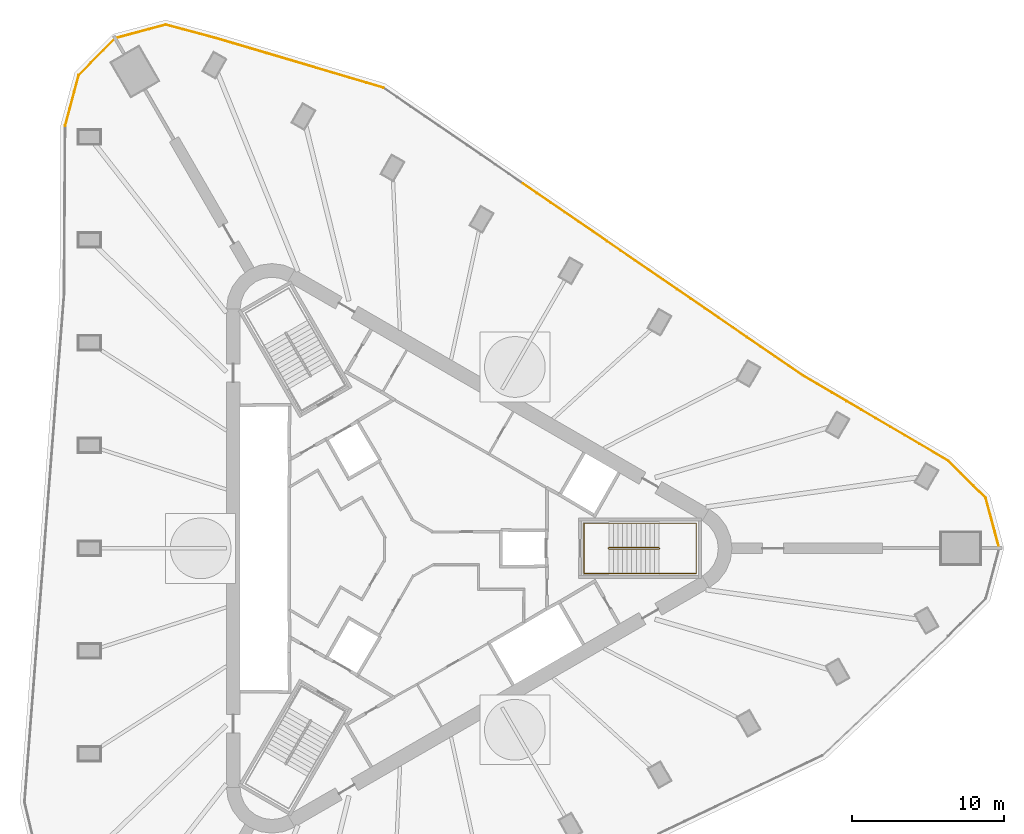
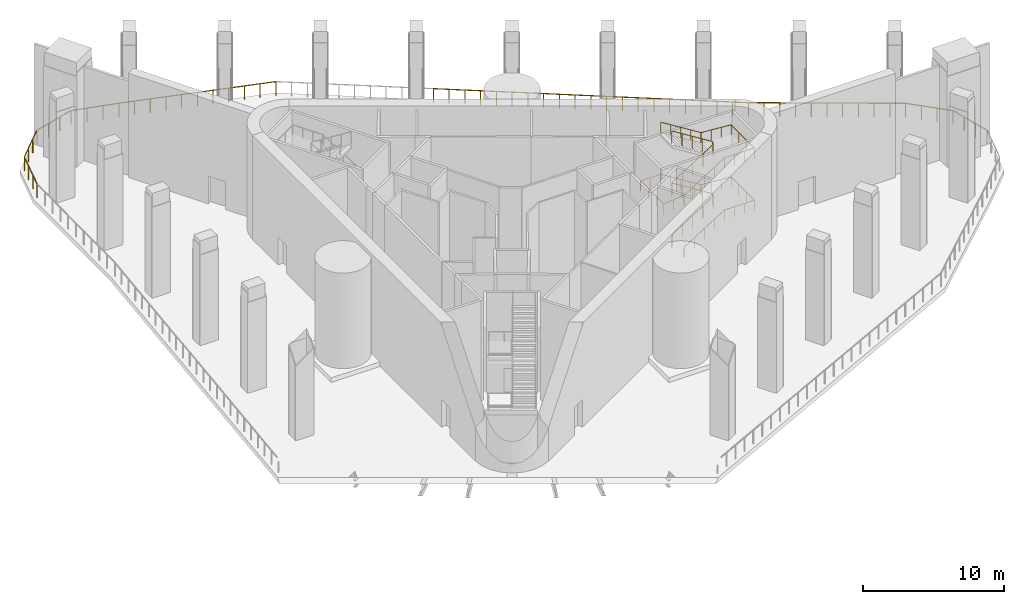
# One storey, part 9 of 10: 9 railings.
"""IFC4 building model written with IfcOpenShell, lengths in metres."""

from ifc_helpers import new_model, si_unit, direction, frame, origin, origin_2d, place, context, subcontext, project, spatial, circle, extrude, material, type_object, element, save


model = new_model("IFC4")

# Units and contexts
model_context = context("Model", 3, precision=1e-05, world=origin(), true_north=direction((0.0, 1.0)))
body_context = subcontext(model_context, "Body", "Model", "MODEL_VIEW")
ifc_project = project(units=[si_unit("LENGTHUNIT", "METRE"), si_unit("AREAUNIT", "SQUARE_METRE"), si_unit("VOLUMEUNIT", "CUBIC_METRE"), si_unit("PLANEANGLEUNIT", "RADIAN"), si_unit("MASSUNIT", "GRAM", prefix="KILO")], contexts=[model_context])

# Site, building, storey
site_placement = place(None, origin())
site = spatial("IfcSite", under=ifc_project, at=site_placement, CompositionType="ELEMENT")
building_placement = place(site_placement, origin())
building = spatial("IfcBuilding", under=site, at=building_placement, Name="Tanit Gate Tower", CompositionType="ELEMENT")
storey_placement = place(building_placement, frame((0.0, 0.0, 283.699951171875)))
storey = spatial("IfcBuildingStorey", under=building, at=storey_placement, Name="L64", CompositionType="ELEMENT", Elevation=283.699951171875)

# Railings
ifc_material_1 = material(Name="Steel S355 galvanised", Category="steel")
railing_type_1 = type_object("IfcRailingType", Name="Guard 1200 turbine slot balustrade", PredefinedType="GUARDRAIL", material=ifc_material_1)
railing_1_placement = place(storey_placement, frame((35.47412109375, 5.755859375, 0.0)))
element("IfcRailing", 1, at=railing_1_placement, inside=storey, type_object=railing_type_1, Name="Open storey guard L64 1", PredefinedType="GUARDRAIL", context=body_context, shape_type="SweptSolid", body=[
    extrude(circle(Radius=0.02392578125, at=origin_2d()), frame((0.0, 0.0, 1.17578125), z_axis=(0.707071546526, -0.707142014091, 0.0), x_axis=(0.707142014091, 0.707071546526, 0.0)), (0.0, 0.0, 1.0), 3.464599609375),
    extrude(circle(Radius=0.02392578125, at=origin_2d()), frame((2.44970703125, -2.449951171875, 1.17578125), z_axis=(0.258799077462, -0.965931176381, 0.0), x_axis=(0.965931176381, 0.258799077462, 0.0)), (0.0, 0.0, 1.0), 3.422607421875),
    extrude(circle(Radius=0.02099609375, at=origin_2d()), origin(), (0.0, 0.0, 1.0), 1.15185546875),
    extrude(circle(Radius=0.02099609375, at=origin_2d()), frame((0.816650390625, -0.816650390625, 0.0)), (0.0, 0.0, 1.0), 1.15185546875),
    extrude(circle(Radius=0.02099609375, at=origin_2d()), frame((1.633056640625, -1.63330078125, 0.0)), (0.0, 0.0, 1.0), 1.15185546875),
    extrude(circle(Radius=0.02099609375, at=origin_2d()), frame((2.44970703125, -2.449951171875, 0.0)), (0.0, 0.0, 1.0), 1.15185546875),
    extrude(circle(Radius=0.02099609375, at=origin_2d()), frame((2.744873046875, -3.552001953125, 0.0)), (0.0, 0.0, 1.0), 1.15185546875),
    extrude(circle(Radius=0.02099609375, at=origin_2d()), frame((3.040283203125, -4.65380859375, 0.0)), (0.0, 0.0, 1.0), 1.15185546875),
    extrude(circle(Radius=0.02099609375, at=origin_2d()), frame((3.33544921875, -5.755859375, 0.0)), (0.0, 0.0, 1.0), 1.15185546875),
])
railing_2_placement = place(storey_placement, frame((-22.7216796875, 27.843505859375, 0.0)))
element("IfcRailing", 2, at=railing_2_placement, inside=storey, type_object=railing_type_1, Name="Open storey guard L64 2", PredefinedType="GUARDRAIL", context=body_context, shape_type="SweptSolid", body=[
    extrude(circle(Radius=0.02392578125, at=origin_2d()), frame((0.0, 0.0, 1.17578125), z_axis=(0.258833537359, 0.965921942984, 0.0), x_axis=(-0.965921942984, 0.258833537359, 0.0)), (0.0, 0.0, 1.0), 3.464599609375),
    extrude(circle(Radius=0.02392578125, at=origin_2d()), frame((0.896728515625, 3.346435546875, 1.17578125), z_axis=(0.707106781187, 0.707106781187, 0.0), x_axis=(-0.707106781187, 0.707106781187, 0.0)), (0.0, 0.0, 1.0), 3.422607421875),
    extrude(circle(Radius=0.02099609375, at=origin_2d()), origin(), (0.0, 0.0, 1.0), 1.15185546875),
    extrude(circle(Radius=0.02099609375, at=origin_2d()), frame((0.298828125, 1.115478515625, 0.0)), (0.0, 0.0, 1.0), 1.15185546875),
    extrude(circle(Radius=0.02099609375, at=origin_2d()), frame((0.597900390625, 2.23095703125, 0.0)), (0.0, 0.0, 1.0), 1.15185546875),
    extrude(circle(Radius=0.02099609375, at=origin_2d()), frame((0.896728515625, 3.346435546875, 0.0)), (0.0, 0.0, 1.0), 1.15185546875),
    extrude(circle(Radius=0.02099609375, at=origin_2d()), frame((1.703369140625, 4.153076171875, 0.0)), (0.0, 0.0, 1.0), 1.15185546875),
    extrude(circle(Radius=0.02099609375, at=origin_2d()), frame((2.51025390625, 4.9599609375, 0.0)), (0.0, 0.0, 1.0), 1.15185546875),
    extrude(circle(Radius=0.02099609375, at=origin_2d()), frame((3.31689453125, 5.7666015625, 0.0)), (0.0, 0.0, 1.0), 1.15185546875),
])
railing_3_placement = place(storey_placement, frame((-19.40478515625, 33.610107421875, 0.0)))
element("IfcRailing", 3, at=railing_3_placement, inside=storey, type_object=railing_type_1, Name="Open storey guard L64 2", PredefinedType="GUARDRAIL", context=body_context, shape_type="SweptSolid", body=[
    extrude(circle(Radius=0.02392578125, at=origin_2d()), frame((0.0, 0.0, 1.17578125), z_axis=(0.965931176381, 0.258799077462, 0.0), x_axis=(-0.258799077462, 0.965931176381, 0.0)), (0.0, 0.0, 1.0), 3.422607421875),
    extrude(circle(Radius=0.02392578125, at=origin_2d()), frame((3.305908203125, 0.8857421875, 1.17578125), z_axis=(0.965934348859, -0.258787236342, 0.0), x_axis=(0.258787236342, 0.965934348859, 0.0)), (0.0, 0.0, 1.0), 3.4990234375),
    extrude(circle(Radius=0.02099609375, at=origin_2d()), origin(), (0.0, 0.0, 1.0), 1.15185546875),
    extrude(circle(Radius=0.02099609375, at=origin_2d()), frame((1.10205078125, 0.295166015625, 0.0)), (0.0, 0.0, 1.0), 1.15185546875),
    extrude(circle(Radius=0.02099609375, at=origin_2d()), frame((2.203857421875, 0.590576171875, 0.0)), (0.0, 0.0, 1.0), 1.15185546875),
    extrude(circle(Radius=0.02099609375, at=origin_2d()), frame((3.305908203125, 0.8857421875, 0.0)), (0.0, 0.0, 1.0), 1.15185546875),
    extrude(circle(Radius=0.02099609375, at=origin_2d()), frame((4.4326171875, 0.583984375, 0.0)), (0.0, 0.0, 1.0), 1.15185546875),
    extrude(circle(Radius=0.02099609375, at=origin_2d()), frame((5.55908203125, 0.281982421875, 0.0)), (0.0, 0.0, 1.0), 1.15185546875),
    extrude(circle(Radius=0.02099609375, at=origin_2d()), frame((6.685791015625, -0.019775390625, 0.0)), (0.0, 0.0, 1.0), 1.15185546875),
])
railing_4_placement = place(storey_placement, frame((-12.718994140625, 33.59033203125, 0.0)))
element("IfcRailing", 4, at=railing_4_placement, inside=storey, type_object=railing_type_1, Name="Open storey guard L64 2", PredefinedType="GUARDRAIL", context=body_context, shape_type="SweptSolid", body=[
    extrude(circle(Radius=0.02392578125, at=origin_2d()), frame((0.0, 0.0, 1.17578125), z_axis=(0.958849859407, -0.283913626152, 0.0), x_axis=(0.283913626152, 0.958849859407, 0.0)), (0.0, 0.0, 1.0), 11.419677734375),
    extrude(circle(Radius=0.02099609375, at=origin_2d()), origin(), (0.0, 0.0, 1.0), 1.15185546875),
    extrude(circle(Radius=0.02099609375, at=origin_2d()), frame((1.094970703125, -0.32421875, 0.0)), (0.0, 0.0, 1.0), 1.15185546875),
    extrude(circle(Radius=0.02099609375, at=origin_2d()), frame((2.18994140625, -0.6484375, 0.0)), (0.0, 0.0, 1.0), 1.15185546875),
    extrude(circle(Radius=0.02099609375, at=origin_2d()), frame((3.284912109375, -0.97265625, 0.0)), (0.0, 0.0, 1.0), 1.15185546875),
    extrude(circle(Radius=0.02099609375, at=origin_2d()), frame((4.3798828125, -1.296875, 0.0)), (0.0, 0.0, 1.0), 1.15185546875),
    extrude(circle(Radius=0.02099609375, at=origin_2d()), frame((5.474853515625, -1.62109375, 0.0)), (0.0, 0.0, 1.0), 1.15185546875),
    extrude(circle(Radius=0.02099609375, at=origin_2d()), frame((6.56982421875, -1.9453125, 0.0)), (0.0, 0.0, 1.0), 1.15185546875),
    extrude(circle(Radius=0.02099609375, at=origin_2d()), frame((7.664794921875, -2.26953125, 0.0)), (0.0, 0.0, 1.0), 1.15185546875),
    extrude(circle(Radius=0.02099609375, at=origin_2d()), frame((8.759765625, -2.59375, 0.0)), (0.0, 0.0, 1.0), 1.15185546875),
    extrude(circle(Radius=0.02099609375, at=origin_2d()), frame((9.854736328125, -2.91796875, 0.0)), (0.0, 0.0, 1.0), 1.15185546875),
    extrude(circle(Radius=0.02099609375, at=origin_2d()), frame((10.94970703125, -3.2421875, 0.0)), (0.0, 0.0, 1.0), 1.15185546875),
])
railing_5_placement = place(storey_placement, frame((7.445068359375, 24.025390625, 0.0)))
element("IfcRailing", 5, at=railing_5_placement, inside=storey, type_object=railing_type_1, Name="Open storey guard L64 2", PredefinedType="GUARDRAIL", context=body_context, shape_type="SweptSolid", body=[
    extrude(circle(Radius=0.02392578125, at=origin_2d()), frame((0.0, 0.0, 1.17578125), z_axis=(0.824564911394, -0.56576736111, 0.0), x_axis=(0.56576736111, 0.824564911394, 0.0)), (0.0, 0.0, 1.0), 11.175048828125),
    extrude(circle(Radius=0.02099609375, at=origin_2d()), origin(), (0.0, 0.0, 1.0), 1.15185546875),
    extrude(circle(Radius=0.02099609375, at=origin_2d()), frame((0.92138671875, -0.63232421875, 0.0)), (0.0, 0.0, 1.0), 1.15185546875),
    extrude(circle(Radius=0.02099609375, at=origin_2d()), frame((1.843017578125, -1.264404296875, 0.0)), (0.0, 0.0, 1.0), 1.15185546875),
    extrude(circle(Radius=0.02099609375, at=origin_2d()), frame((2.764404296875, -1.896728515625, 0.0)), (0.0, 0.0, 1.0), 1.15185546875),
    extrude(circle(Radius=0.02099609375, at=origin_2d()), frame((3.685791015625, -2.529052734375, 0.0)), (0.0, 0.0, 1.0), 1.15185546875),
    extrude(circle(Radius=0.02099609375, at=origin_2d()), frame((4.607421875, -3.1611328125, 0.0)), (0.0, 0.0, 1.0), 1.15185546875),
    extrude(circle(Radius=0.02099609375, at=origin_2d()), frame((5.52880859375, -3.79345703125, 0.0)), (0.0, 0.0, 1.0), 1.15185546875),
    extrude(circle(Radius=0.02099609375, at=origin_2d()), frame((6.4501953125, -4.42578125, 0.0)), (0.0, 0.0, 1.0), 1.15185546875),
    extrude(circle(Radius=0.02099609375, at=origin_2d()), frame((7.37158203125, -5.05810546875, 0.0)), (0.0, 0.0, 1.0), 1.15185546875),
    extrude(circle(Radius=0.02099609375, at=origin_2d()), frame((8.293212890625, -5.690185546875, 0.0)), (0.0, 0.0, 1.0), 1.15185546875),
    extrude(circle(Radius=0.02099609375, at=origin_2d()), frame((9.214599609375, -6.322509765625, 0.0)), (0.0, 0.0, 1.0), 1.15185546875),
])
railing_6_placement = place(storey_placement, frame((16.65966796875, 17.702880859375, 0.0)))
element("IfcRailing", 6, at=railing_6_placement, inside=storey, type_object=railing_type_1, Name="Open storey guard L64 2", PredefinedType="GUARDRAIL", context=body_context, shape_type="SweptSolid", body=[
    extrude(circle(Radius=0.02392578125, at=origin_2d()), frame((0.0, 0.0, 1.17578125), z_axis=(0.82455471958, -0.565782214654, 0.0), x_axis=(0.565782214654, 0.82455471958, 0.0)), (0.0, 0.0, 1.0), 11.17529296875),
    extrude(circle(Radius=0.02099609375, at=origin_2d()), origin(), (0.0, 0.0, 1.0), 1.15185546875),
    extrude(circle(Radius=0.02099609375, at=origin_2d()), frame((0.92138671875, -0.63232421875, 0.0)), (0.0, 0.0, 1.0), 1.15185546875),
    extrude(circle(Radius=0.02099609375, at=origin_2d()), frame((1.843017578125, -1.2646484375, 0.0)), (0.0, 0.0, 1.0), 1.15185546875),
    extrude(circle(Radius=0.02099609375, at=origin_2d()), frame((2.764404296875, -1.896728515625, 0.0)), (0.0, 0.0, 1.0), 1.15185546875),
    extrude(circle(Radius=0.02099609375, at=origin_2d()), frame((3.685791015625, -2.529052734375, 0.0)), (0.0, 0.0, 1.0), 1.15185546875),
    extrude(circle(Radius=0.02099609375, at=origin_2d()), frame((4.607421875, -3.161376953125, 0.0)), (0.0, 0.0, 1.0), 1.15185546875),
    extrude(circle(Radius=0.02099609375, at=origin_2d()), frame((5.52880859375, -3.793701171875, 0.0)), (0.0, 0.0, 1.0), 1.15185546875),
    extrude(circle(Radius=0.02099609375, at=origin_2d()), frame((6.4501953125, -4.426025390625, 0.0)), (0.0, 0.0, 1.0), 1.15185546875),
    extrude(circle(Radius=0.02099609375, at=origin_2d()), frame((7.37158203125, -5.05810546875, 0.0)), (0.0, 0.0, 1.0), 1.15185546875),
    extrude(circle(Radius=0.02099609375, at=origin_2d()), frame((8.293212890625, -5.6904296875, 0.0)), (0.0, 0.0, 1.0), 1.15185546875),
    extrude(circle(Radius=0.02099609375, at=origin_2d()), frame((9.214599609375, -6.32275390625, 0.0)), (0.0, 0.0, 1.0), 1.15185546875),
])
railing_7_placement = place(storey_placement, frame((25.874267578125, 11.380126953125, 0.0)))
element("IfcRailing", 7, at=railing_7_placement, inside=storey, type_object=railing_type_1, Name="Open storey guard L64 2", PredefinedType="GUARDRAIL", context=body_context, shape_type="SweptSolid", body=[
    extrude(circle(Radius=0.02392578125, at=origin_2d()), frame((0.0, 0.0, 1.17578125), z_axis=(0.8628247081, -0.505503237469, 0.0), x_axis=(0.505503237469, 0.8628247081, 0.0)), (0.0, 0.0, 1.0), 11.1259765625),
    extrude(circle(Radius=0.02099609375, at=origin_2d()), origin(), (0.0, 0.0, 1.0), 1.15185546875),
    extrude(circle(Radius=0.02099609375, at=origin_2d()), frame((0.9599609375, -0.5625, 0.0)), (0.0, 0.0, 1.0), 1.15185546875),
    extrude(circle(Radius=0.02099609375, at=origin_2d()), frame((1.919921875, -1.124755859375, 0.0)), (0.0, 0.0, 1.0), 1.15185546875),
    extrude(circle(Radius=0.02099609375, at=origin_2d()), frame((2.8798828125, -1.687255859375, 0.0)), (0.0, 0.0, 1.0), 1.15185546875),
    extrude(circle(Radius=0.02099609375, at=origin_2d()), frame((3.83984375, -2.249755859375, 0.0)), (0.0, 0.0, 1.0), 1.15185546875),
    extrude(circle(Radius=0.02099609375, at=origin_2d()), frame((4.7998046875, -2.81201171875, 0.0)), (0.0, 0.0, 1.0), 1.15185546875),
    extrude(circle(Radius=0.02099609375, at=origin_2d()), frame((5.760009765625, -3.37451171875, 0.0)), (0.0, 0.0, 1.0), 1.15185546875),
    extrude(circle(Radius=0.02099609375, at=origin_2d()), frame((6.719970703125, -3.93701171875, 0.0)), (0.0, 0.0, 1.0), 1.15185546875),
    extrude(circle(Radius=0.02099609375, at=origin_2d()), frame((7.679931640625, -4.49951171875, 0.0)), (0.0, 0.0, 1.0), 1.15185546875),
    extrude(circle(Radius=0.02099609375, at=origin_2d()), frame((8.639892578125, -5.061767578125, 0.0)), (0.0, 0.0, 1.0), 1.15185546875),
    extrude(circle(Radius=0.02099609375, at=origin_2d()), frame((9.599853515625, -5.624267578125, 0.0)), (0.0, 0.0, 1.0), 1.15185546875),
])
ifc_material_2 = material(Name="Stainless steel balustrade", Category="steel")
railing_type_2 = type_object("IfcRailingType", Name="INT-STAIR-GUARD", PredefinedType="GUARDRAIL", material=ifc_material_2)
railing_8_placement = place(storey_placement, frame((13.044921875, 0.0048828125, 0.0)))
element("IfcRailing", 8, at=railing_8_placement, inside=storey, type_object=railing_type_2, Name="L64 S1 stair guard 1", PredefinedType="GUARDRAIL", context=body_context, shape_type="SweptSolid", body=[
    extrude(circle(Radius=0.02392578125, at=origin_2d()), frame((0.0, 0.0, 1.076171875), z_axis=(0.0, -1.0, 0.0), x_axis=(1.0, 0.0, 0.0)), (0.0, 0.0, 1.0), 0.009765625),
    extrude(circle(Radius=0.02392578125, at=origin_2d()), frame((0.0, -0.009765625, 1.076171875), z_axis=(0.249726431254, -0.249726431254, 0.935560483917), x_axis=(0.707106781187, 0.707106781187, 0.0)), (0.0, 0.0, 1.0), 0.200439453125),
    extrude(circle(Radius=0.02392578125, at=origin_2d()), frame((0.050048828125, -0.059814453125, 1.263671875), z_axis=(0.848001828478, 0.0, 0.529993300805), x_axis=(0.0, 1.0, 0.0)), (0.0, 0.0, 1.0), 3.8916015625),
    extrude(circle(Radius=0.02392578125, at=origin_2d()), frame((3.35009765625, -0.059814453125, 3.326171875), z_axis=(0.707106781187, 0.707106781187, 0.0), x_axis=(-0.707106781187, 0.707106781187, 0.0)), (0.0, 0.0, 1.0), 0.07080078125),
    extrude(circle(Radius=0.02392578125, at=origin_2d()), frame((3.400146484375, -0.009765625, 3.326171875), z_axis=(0.0, 1.0, 0.0), x_axis=(-1.0, 0.0, 0.0)), (0.0, 0.0, 1.0), 0.009765625),
    extrude(circle(Radius=0.02392578125, at=origin_2d()), frame((3.400146484375, 0.0, 3.326171875), z_axis=(-0.249726431254, 0.249726431254, 0.935560483917), x_axis=(-0.707106781187, -0.707106781187, 0.0)), (0.0, 0.0, 1.0), 0.200439453125),
    extrude(circle(Radius=0.02392578125, at=origin_2d()), frame((3.35009765625, 0.050048828125, 3.513671875), z_axis=(-0.848001828478, 0.0, 0.529993300805), x_axis=(0.0, -1.0, 0.0)), (0.0, 0.0, 1.0), 3.8916015625),
    extrude(circle(Radius=0.02392578125, at=origin_2d()), frame((0.050048828125, 0.050048828125, 5.576171875), z_axis=(-0.707106781187, -0.707106781187, 0.0), x_axis=(0.707106781187, -0.707106781187, 0.0)), (0.0, 0.0, 1.0), 0.07080078125),
    extrude(circle(Radius=0.02392578125, at=origin_2d()), frame((0.0, 0.0, 5.576171875), z_axis=(0.0, -1.0, 0.0), x_axis=(1.0, 0.0, 0.0)), (0.0, 0.0, 1.0), 0.009765625),
    extrude(circle(Radius=0.02392578125, at=origin_2d()), frame((0.0, -0.009765625, 5.576171875), z_axis=(0.249726431254, -0.249726431254, 0.935560483917), x_axis=(0.707106781187, 0.707106781187, 0.0)), (0.0, 0.0, 1.0), 0.200439453125),
    extrude(circle(Radius=0.02392578125, at=origin_2d()), frame((0.050048828125, -0.059814453125, 5.763671875), z_axis=(0.848001828478, 0.0, 0.529993300805), x_axis=(0.0, 1.0, 0.0)), (0.0, 0.0, 1.0), 3.8916015625),
    extrude(circle(Radius=0.02392578125, at=origin_2d()), frame((3.35009765625, -0.059814453125, 7.826171875), z_axis=(0.707106781187, 0.707106781187, 0.0), x_axis=(-0.707106781187, 0.707106781187, 0.0)), (0.0, 0.0, 1.0), 0.07080078125),
    extrude(circle(Radius=0.02392578125, at=origin_2d()), frame((3.400146484375, -0.009765625, 7.826171875), z_axis=(0.0, 1.0, 0.0), x_axis=(-1.0, 0.0, 0.0)), (0.0, 0.0, 1.0), 0.009765625),
    extrude(circle(Radius=0.02392578125, at=origin_2d()), frame((3.400146484375, 0.0, 7.826171875), z_axis=(-0.249726431254, 0.249726431254, 0.935560483917), x_axis=(-0.707106781187, -0.707106781187, 0.0)), (0.0, 0.0, 1.0), 0.200439453125),
    extrude(circle(Radius=0.02392578125, at=origin_2d()), frame((3.35009765625, 0.050048828125, 8.013671875), z_axis=(-0.848001828478, 0.0, 0.529993300805), x_axis=(0.0, -1.0, 0.0)), (0.0, 0.0, 1.0), 3.8916015625),
    extrude(circle(Radius=0.02099609375, at=origin_2d()), origin(), (0.0, 0.0, 1.0), 1.052001953125),
    extrude(circle(Radius=0.02099609375, at=origin_2d()), frame((0.0, -0.009765625, 0.0)), (0.0, 0.0, 1.0), 1.052001953125),
    extrude(circle(Radius=0.02099609375, at=origin_2d()), frame((0.050048828125, -0.059814453125, 0.1875)), (0.0, 0.0, 1.0), 1.052001953125),
    extrude(circle(Radius=0.02099609375, at=origin_2d()), frame((0.875, -0.059814453125, 0.703125)), (0.0, 0.0, 1.0), 1.052001953125),
    extrude(circle(Radius=0.02099609375, at=origin_2d()), frame((1.7001953125, -0.059814453125, 1.21875)), (0.0, 0.0, 1.0), 1.052001953125),
    extrude(circle(Radius=0.02099609375, at=origin_2d()), frame((2.525146484375, -0.059814453125, 1.734375)), (0.0, 0.0, 1.0), 1.052001953125),
    extrude(circle(Radius=0.02099609375, at=origin_2d()), frame((3.35009765625, -0.059814453125, 2.25)), (0.0, 0.0, 1.0), 1.052001953125),
    extrude(circle(Radius=0.02099609375, at=origin_2d()), frame((3.400146484375, -0.009765625, 2.25)), (0.0, 0.0, 1.0), 1.052001953125),
    extrude(circle(Radius=0.02099609375, at=origin_2d()), frame((3.400146484375, 0.0, 2.25)), (0.0, 0.0, 1.0), 1.052001953125),
    extrude(circle(Radius=0.02099609375, at=origin_2d()), frame((3.35009765625, 0.050048828125, 2.4375)), (0.0, 0.0, 1.0), 1.052001953125),
    extrude(circle(Radius=0.02099609375, at=origin_2d()), frame((2.525146484375, 0.050048828125, 2.953125)), (0.0, 0.0, 1.0), 1.052001953125),
    extrude(circle(Radius=0.02099609375, at=origin_2d()), frame((1.7001953125, 0.050048828125, 3.46875)), (0.0, 0.0, 1.0), 1.052001953125),
    extrude(circle(Radius=0.02099609375, at=origin_2d()), frame((0.875, 0.050048828125, 3.984375)), (0.0, 0.0, 1.0), 1.052001953125),
    extrude(circle(Radius=0.02099609375, at=origin_2d()), frame((0.050048828125, 0.050048828125, 4.5)), (0.0, 0.0, 1.0), 1.052001953125),
    extrude(circle(Radius=0.02099609375, at=origin_2d()), frame((0.0, 0.0, 4.5)), (0.0, 0.0, 1.0), 1.052001953125),
    extrude(circle(Radius=0.02099609375, at=origin_2d()), frame((0.0, -0.009765625, 4.5)), (0.0, 0.0, 1.0), 1.052001953125),
    extrude(circle(Radius=0.02099609375, at=origin_2d()), frame((0.050048828125, -0.059814453125, 4.6875)), (0.0, 0.0, 1.0), 1.052001953125),
    extrude(circle(Radius=0.02099609375, at=origin_2d()), frame((0.875, -0.059814453125, 5.203125)), (0.0, 0.0, 1.0), 1.052001953125),
    extrude(circle(Radius=0.02099609375, at=origin_2d()), frame((1.7001953125, -0.059814453125, 5.71875)), (0.0, 0.0, 1.0), 1.052001953125),
    extrude(circle(Radius=0.02099609375, at=origin_2d()), frame((2.525146484375, -0.059814453125, 6.234375)), (0.0, 0.0, 1.0), 1.052001953125),
    extrude(circle(Radius=0.02099609375, at=origin_2d()), frame((3.35009765625, -0.059814453125, 6.75)), (0.0, 0.0, 1.0), 1.052001953125),
    extrude(circle(Radius=0.02099609375, at=origin_2d()), frame((3.400146484375, -0.009765625, 6.75)), (0.0, 0.0, 1.0), 1.052001953125),
    extrude(circle(Radius=0.02099609375, at=origin_2d()), frame((3.400146484375, 0.0, 6.75)), (0.0, 0.0, 1.0), 1.052001953125),
    extrude(circle(Radius=0.02099609375, at=origin_2d()), frame((3.35009765625, 0.050048828125, 6.9375)), (0.0, 0.0, 1.0), 1.052001953125),
    extrude(circle(Radius=0.02099609375, at=origin_2d()), frame((2.525146484375, 0.050048828125, 7.453125)), (0.0, 0.0, 1.0), 1.052001953125),
    extrude(circle(Radius=0.02099609375, at=origin_2d()), frame((1.7001953125, 0.050048828125, 7.96875)), (0.0, 0.0, 1.0), 1.052001953125),
    extrude(circle(Radius=0.02099609375, at=origin_2d()), frame((0.875, 0.050048828125, 8.484375)), (0.0, 0.0, 1.0), 1.052001953125),
    extrude(circle(Radius=0.02099609375, at=origin_2d()), frame((0.050048828125, 0.050048828125, 9.0)), (0.0, 0.0, 1.0), 1.052001953125),
])
ifc_material_3 = material(Name="Stainless steel handrail", Category="steel")
railing_type_3 = type_object("IfcRailingType", Name="INT-STAIR-HANDRAIL", PredefinedType="HANDRAIL", material=ifc_material_3)
railing_9_placement = place(storey_placement, frame((13.094970703125, -1.64990234375, 0.1875)))
element("IfcRailing", 9, at=railing_9_placement, inside=storey, type_object=railing_type_3, Name="L64 S1 stair handrail 1", PredefinedType="HANDRAIL", context=body_context, shape_type="SweptSolid", body=[
    extrude(circle(Radius=0.02392578125, at=origin_2d()), frame((0.0, 0.0, 0.8759765625), z_axis=(0.848001828478, 0.0, 0.529993300805), x_axis=(0.0, 1.0, 0.0)), (0.0, 0.0, 1.0), 3.8916015625),
    extrude(circle(Radius=0.02392578125, at=origin_2d()), frame((3.300048828125, 0.0, 2.9384765625), z_axis=(1.0, 0.0, 0.0), x_axis=(0.0, 1.0, 0.0)), (0.0, 0.0, 1.0), 2.455078125),
    extrude(circle(Radius=0.02392578125, at=origin_2d()), frame((5.755126953125, 0.0, 2.9384765625), z_axis=(0.0, 1.0, 0.0), x_axis=(-1.0, 0.0, 0.0)), (0.0, 0.0, 1.0), 3.2998046875),
    extrude(circle(Radius=0.02392578125, at=origin_2d()), frame((5.755126953125, 3.2998046875, 2.9384765625), z_axis=(-0.997096330832, 0.0, 0.076150555099), x_axis=(0.0, -1.0, 0.0)), (0.0, 0.0, 1.0), 2.462158203125),
    extrude(circle(Radius=0.02392578125, at=origin_2d()), frame((3.300048828125, 3.2998046875, 3.1259765625), z_axis=(-0.848001828478, 0.0, 0.529993300805), x_axis=(0.0, -1.0, 0.0)), (0.0, 0.0, 1.0), 3.8916015625),
    extrude(circle(Radius=0.02392578125, at=origin_2d()), frame((0.0, 3.2998046875, 5.1884765625), z_axis=(-1.0, 0.0, 0.0), x_axis=(0.0, -1.0, 0.0)), (0.0, 0.0, 1.0), 1.64501953125),
    extrude(circle(Radius=0.02392578125, at=origin_2d()), frame((-1.64501953125, 3.2998046875, 5.1884765625), z_axis=(0.0, -1.0, 0.0), x_axis=(1.0, 0.0, 0.0)), (0.0, 0.0, 1.0), 3.2998046875),
    extrude(circle(Radius=0.02392578125, at=origin_2d()), frame((-1.64501953125, 0.0, 5.1884765625), z_axis=(0.99356684807, 0.0, 0.113247156325), x_axis=(0.0, 1.0, 0.0)), (0.0, 0.0, 1.0), 1.65576171875),
    extrude(circle(Radius=0.02392578125, at=origin_2d()), frame((0.0, 0.0, 5.3759765625), z_axis=(0.848001828478, 0.0, 0.529993300805), x_axis=(0.0, 1.0, 0.0)), (0.0, 0.0, 1.0), 3.8916015625),
    extrude(circle(Radius=0.02392578125, at=origin_2d()), frame((3.300048828125, 0.0, 7.4384765625), z_axis=(1.0, 0.0, 0.0), x_axis=(0.0, 1.0, 0.0)), (0.0, 0.0, 1.0), 2.455078125),
    extrude(circle(Radius=0.02392578125, at=origin_2d()), frame((5.755126953125, 0.0, 7.4384765625), z_axis=(0.0, 1.0, 0.0), x_axis=(-1.0, 0.0, 0.0)), (0.0, 0.0, 1.0), 3.2998046875),
    extrude(circle(Radius=0.02392578125, at=origin_2d()), frame((5.755126953125, 3.2998046875, 7.4384765625), z_axis=(-0.997096330832, 0.0, 0.076150555099), x_axis=(0.0, -1.0, 0.0)), (0.0, 0.0, 1.0), 2.462158203125),
    extrude(circle(Radius=0.02392578125, at=origin_2d()), frame((3.300048828125, 3.2998046875, 7.6259765625), z_axis=(-0.848001828478, 0.0, 0.529993300805), x_axis=(0.0, -1.0, 0.0)), (0.0, 0.0, 1.0), 3.8916015625),
    extrude(circle(Radius=0.02099609375, at=origin_2d()), origin(), (0.0, 0.0, 1.0), 0.851806640625),
    extrude(circle(Radius=0.02099609375, at=origin_2d()), frame((0.824951171875, 0.0, 0.515625)), (0.0, 0.0, 1.0), 0.851806640625),
    extrude(circle(Radius=0.02099609375, at=origin_2d()), frame((1.64990234375, 0.0, 1.03125)), (0.0, 0.0, 1.0), 0.851806640625),
    extrude(circle(Radius=0.02099609375, at=origin_2d()), frame((2.47509765625, 0.0, 1.546875)), (0.0, 0.0, 1.0), 0.851806640625),
    extrude(circle(Radius=0.02099609375, at=origin_2d()), frame((3.300048828125, 0.0, 2.0625)), (0.0, 0.0, 1.0), 0.851806640625),
    extrude(circle(Radius=0.02099609375, at=origin_2d()), frame((4.118408203125, 0.0, 2.0625)), (0.0, 0.0, 1.0), 0.851806640625),
    extrude(circle(Radius=0.02099609375, at=origin_2d()), frame((4.936767578125, 0.0, 2.0625)), (0.0, 0.0, 1.0), 0.851806640625),
    extrude(circle(Radius=0.02099609375, at=origin_2d()), frame((5.755126953125, 0.0, 2.0625)), (0.0, 0.0, 1.0), 0.851806640625),
    extrude(circle(Radius=0.02099609375, at=origin_2d()), frame((5.755126953125, 1.099853515625, 2.0625)), (0.0, 0.0, 1.0), 0.851806640625),
    extrude(circle(Radius=0.02099609375, at=origin_2d()), frame((5.755126953125, 2.199951171875, 2.0625)), (0.0, 0.0, 1.0), 0.851806640625),
    extrude(circle(Radius=0.02099609375, at=origin_2d()), frame((5.755126953125, 3.2998046875, 2.0625)), (0.0, 0.0, 1.0), 0.851806640625),
    extrude(circle(Radius=0.02099609375, at=origin_2d()), frame((4.936767578125, 3.2998046875, 2.125)), (0.0, 0.0, 1.0), 0.851806640625),
    extrude(circle(Radius=0.02099609375, at=origin_2d()), frame((4.118408203125, 3.2998046875, 2.1875)), (0.0, 0.0, 1.0), 0.851806640625),
    extrude(circle(Radius=0.02099609375, at=origin_2d()), frame((3.300048828125, 3.2998046875, 2.25)), (0.0, 0.0, 1.0), 0.851806640625),
    extrude(circle(Radius=0.02099609375, at=origin_2d()), frame((2.47509765625, 3.2998046875, 2.765625)), (0.0, 0.0, 1.0), 0.851806640625),
    extrude(circle(Radius=0.02099609375, at=origin_2d()), frame((1.64990234375, 3.2998046875, 3.28125)), (0.0, 0.0, 1.0), 0.851806640625),
    extrude(circle(Radius=0.02099609375, at=origin_2d()), frame((0.824951171875, 3.2998046875, 3.796875)), (0.0, 0.0, 1.0), 0.851806640625),
    extrude(circle(Radius=0.02099609375, at=origin_2d()), frame((0.0, 3.2998046875, 4.3125)), (0.0, 0.0, 1.0), 0.851806640625),
    extrude(circle(Radius=0.02099609375, at=origin_2d()), frame((-0.822509765625, 3.2998046875, 4.3125)), (0.0, 0.0, 1.0), 0.851806640625),
    extrude(circle(Radius=0.02099609375, at=origin_2d()), frame((-1.64501953125, 3.2998046875, 4.3125)), (0.0, 0.0, 1.0), 0.851806640625),
    extrude(circle(Radius=0.02099609375, at=origin_2d()), frame((-1.64501953125, 2.199951171875, 4.3125)), (0.0, 0.0, 1.0), 0.851806640625),
    extrude(circle(Radius=0.02099609375, at=origin_2d()), frame((-1.64501953125, 1.099853515625, 4.3125)), (0.0, 0.0, 1.0), 0.851806640625),
    extrude(circle(Radius=0.02099609375, at=origin_2d()), frame((-1.64501953125, 0.0, 4.3125)), (0.0, 0.0, 1.0), 0.851806640625),
    extrude(circle(Radius=0.02099609375, at=origin_2d()), frame((-0.822509765625, 0.0, 4.40625)), (0.0, 0.0, 1.0), 0.851806640625),
    extrude(circle(Radius=0.02099609375, at=origin_2d()), frame((0.0, 0.0, 4.5)), (0.0, 0.0, 1.0), 0.851806640625),
    extrude(circle(Radius=0.02099609375, at=origin_2d()), frame((0.824951171875, 0.0, 5.015625)), (0.0, 0.0, 1.0), 0.851806640625),
    extrude(circle(Radius=0.02099609375, at=origin_2d()), frame((1.64990234375, 0.0, 5.53125)), (0.0, 0.0, 1.0), 0.851806640625),
    extrude(circle(Radius=0.02099609375, at=origin_2d()), frame((2.47509765625, 0.0, 6.046875)), (0.0, 0.0, 1.0), 0.851806640625),
    extrude(circle(Radius=0.02099609375, at=origin_2d()), frame((3.300048828125, 0.0, 6.5625)), (0.0, 0.0, 1.0), 0.851806640625),
    extrude(circle(Radius=0.02099609375, at=origin_2d()), frame((4.118408203125, 0.0, 6.5625)), (0.0, 0.0, 1.0), 0.851806640625),
    extrude(circle(Radius=0.02099609375, at=origin_2d()), frame((4.936767578125, 0.0, 6.5625)), (0.0, 0.0, 1.0), 0.851806640625),
    extrude(circle(Radius=0.02099609375, at=origin_2d()), frame((5.755126953125, 0.0, 6.5625)), (0.0, 0.0, 1.0), 0.851806640625),
    extrude(circle(Radius=0.02099609375, at=origin_2d()), frame((5.755126953125, 1.099853515625, 6.5625)), (0.0, 0.0, 1.0), 0.851806640625),
    extrude(circle(Radius=0.02099609375, at=origin_2d()), frame((5.755126953125, 2.199951171875, 6.5625)), (0.0, 0.0, 1.0), 0.851806640625),
    extrude(circle(Radius=0.02099609375, at=origin_2d()), frame((5.755126953125, 3.2998046875, 6.5625)), (0.0, 0.0, 1.0), 0.851806640625),
    extrude(circle(Radius=0.02099609375, at=origin_2d()), frame((4.936767578125, 3.2998046875, 6.625)), (0.0, 0.0, 1.0), 0.851806640625),
    extrude(circle(Radius=0.02099609375, at=origin_2d()), frame((4.118408203125, 3.2998046875, 6.6875)), (0.0, 0.0, 1.0), 0.851806640625),
    extrude(circle(Radius=0.02099609375, at=origin_2d()), frame((3.300048828125, 3.2998046875, 6.75)), (0.0, 0.0, 1.0), 0.851806640625),
    extrude(circle(Radius=0.02099609375, at=origin_2d()), frame((2.47509765625, 3.2998046875, 7.265625)), (0.0, 0.0, 1.0), 0.851806640625),
    extrude(circle(Radius=0.02099609375, at=origin_2d()), frame((1.64990234375, 3.2998046875, 7.78125)), (0.0, 0.0, 1.0), 0.851806640625),
    extrude(circle(Radius=0.02099609375, at=origin_2d()), frame((0.824951171875, 3.2998046875, 8.296875)), (0.0, 0.0, 1.0), 0.851806640625),
    extrude(circle(Radius=0.02099609375, at=origin_2d()), frame((0.0, 3.2998046875, 8.8125)), (0.0, 0.0, 1.0), 0.851806640625),
])

save(model, "model.ifc")
